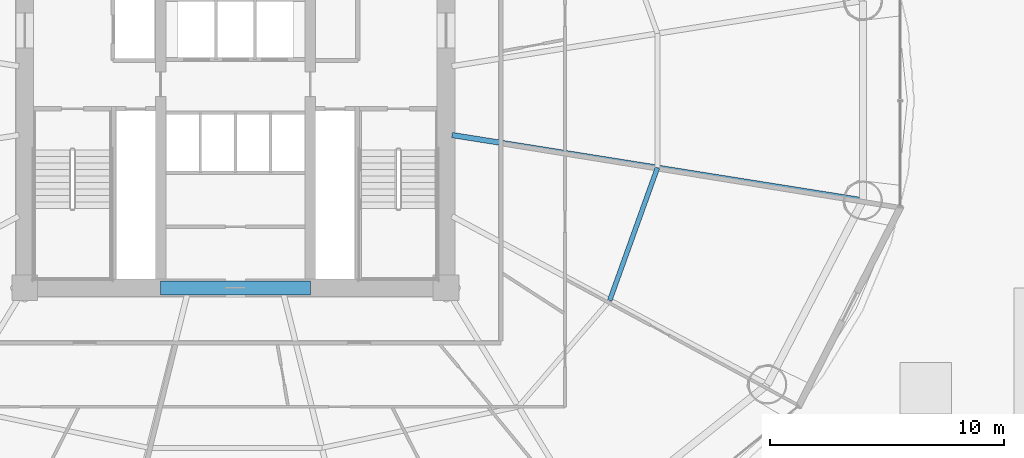
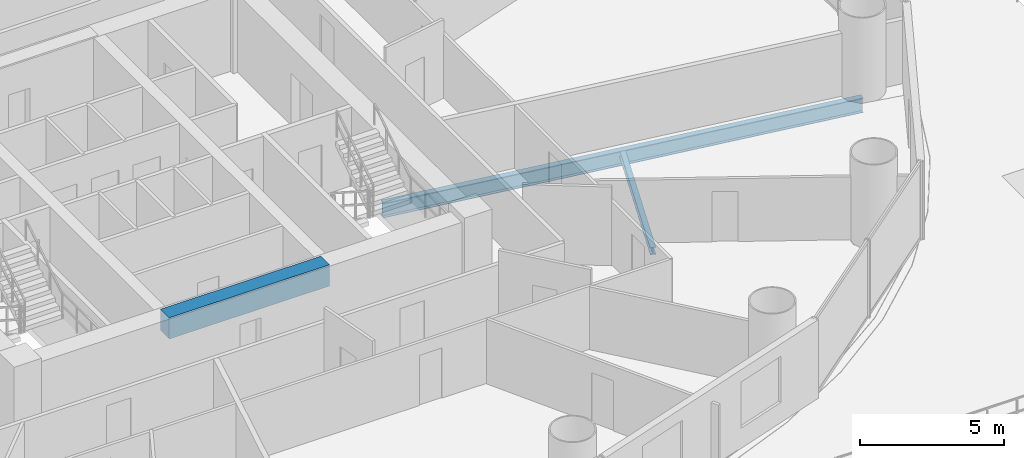
# One storey, part 16 of 37: 3 beams.
"""IFC4 building model written with IfcOpenShell, lengths in metres."""

from ifc_helpers import new_model, si_unit, direction, frame, origin, origin_2d, place, context, subcontext, project, spatial, rectangle, i_section, extrude, material, material_profile, profile_set, type_object, element, save


model = new_model("IFC4")

# Units and contexts
model_context = context("Model", 3, precision=1e-05, world=origin(), true_north=direction((-0.2419218956, 0.970295726276)))
body_context = subcontext(model_context, "Body", "Model", "MODEL_VIEW")
ifc_project = project(units=[si_unit("LENGTHUNIT", "METRE"), si_unit("AREAUNIT", "SQUARE_METRE"), si_unit("VOLUMEUNIT", "CUBIC_METRE"), si_unit("PLANEANGLEUNIT", "RADIAN"), si_unit("MASSUNIT", "GRAM", prefix="KILO")], contexts=[model_context])

# Site, building, storey
site_placement = place(None, origin())
site = spatial("IfcSite", under=ifc_project, at=site_placement, CompositionType="ELEMENT")
building_placement = place(site_placement, origin())
building = spatial("IfcBuilding", under=site, at=building_placement, Name="Cobrevalo Terracotta Tower", CompositionType="ELEMENT")
storey_placement = place(building_placement, frame((0.0, 0.0, 24.0)))
storey = spatial("IfcBuildingStorey", under=building, at=storey_placement, Name="L05", CompositionType="ELEMENT", Elevation=24.0)

# Beams
ifc_material_1 = material(Name="Concrete C60", Category="concrete")
ifc_material_profile_1 = material_profile(ifc_material_1, rectangle(XDim=0.60009765625, YDim=0.89990234375, at=origin_2d()), Name="RC CB 600x900")
ifc_profile_set_1 = profile_set([ifc_material_profile_1], Name="Concrete C60")
beam_type_1 = type_object("IfcBeamType", Name="Structural Beam RC CB 600x900 (Concrete C60)", PredefinedType="BEAM", material=ifc_profile_set_1)
beam_1_placement = place(storey_placement, frame((34.800048828125, 18.800048828125, 2.8701171875), z_axis=(1.0, 0.0, 0.0), x_axis=(0.0, 1.0, 0.0)))
element("IfcBeam", 1, at=beam_1_placement, inside=storey, type_object=beam_type_1, Name="L05 core coupling beam 1", PredefinedType="BEAM", context=body_context, shape_type="SweptSolid", body=[
    extrude(rectangle(XDim=0.60009765625, YDim=0.89990234375, at=origin_2d()), origin(), (0.0, 0.0, 1.0), 6.39990234375),
])
ifc_material_2 = material(Name="Steel S355", Category="steel")
ifc_material_profile_2 = material_profile(ifc_material_2, i_section(OverallWidth=0.22998046875, OverallDepth=0.616943359375, WebThickness=0.01318359375, FlangeThickness=0.022216796875, at=origin_2d()), Name="W 610x140")
ifc_profile_set_2 = profile_set([ifc_material_profile_2], Name="Steel S355")
beam_type_2 = type_object("IfcBeamType", Name="Structural Beam W 610x140 (Steel S355)", PredefinedType="BEAM", material=ifc_profile_set_2)
beam_2_placement = place(storey_placement, frame((64.824462890625, 22.537353515625, -0.58837890625), z_axis=(-0.987607924622, 0.156941349628, 0.0), x_axis=(-0.156941349628, -0.987607924622, 0.0)))
element("IfcBeam", 2, at=beam_2_placement, inside=storey, type_object=beam_type_2, Name="L05 radial floor girder 16", PredefinedType="BEAM", context=body_context, shape_type="SweptSolid", body=[
    extrude(i_section(OverallWidth=0.22998046875, OverallDepth=0.616943359375, WebThickness=0.01318359375, FlangeThickness=0.022216796875, at=origin_2d()), origin(), (0.0, 0.0, 1.0), 17.7900390625),
])
ifc_material_profile_3 = material_profile(ifc_material_2, i_section(OverallWidth=0.2041015625, OverallDepth=0.305908203125, WebThickness=0.008544921875, FlangeThickness=0.0146484375, at=origin_2d()), Name="W 310x67")
ifc_profile_set_3 = profile_set([ifc_material_profile_3], Name="Steel S355")
beam_type_3 = type_object("IfcBeamType", Name="Structural Joist W 310x67 (Steel S355)", PredefinedType="JOIST", material=ifc_profile_set_3)
beam_3_placement = place(storey_placement, frame((53.997802734375, 18.26025390625, -0.43310546875), z_axis=(0.338672151116, 0.940904444701, 0.0), x_axis=(-0.940904444701, 0.338672151116, 0.0)))
element("IfcBeam", 3, at=beam_3_placement, inside=storey, type_object=beam_type_3, Name="L05 circumferential secondary floor joist 15", PredefinedType="JOIST", context=body_context, shape_type="SweptSolid", body=[
    extrude(i_section(OverallWidth=0.2041015625, OverallDepth=0.305908203125, WebThickness=0.008544921875, FlangeThickness=0.0146484375, at=origin_2d()), origin(), (0.0, 0.0, 1.0), 6.029296875),
])

save(model, "model.ifc")
